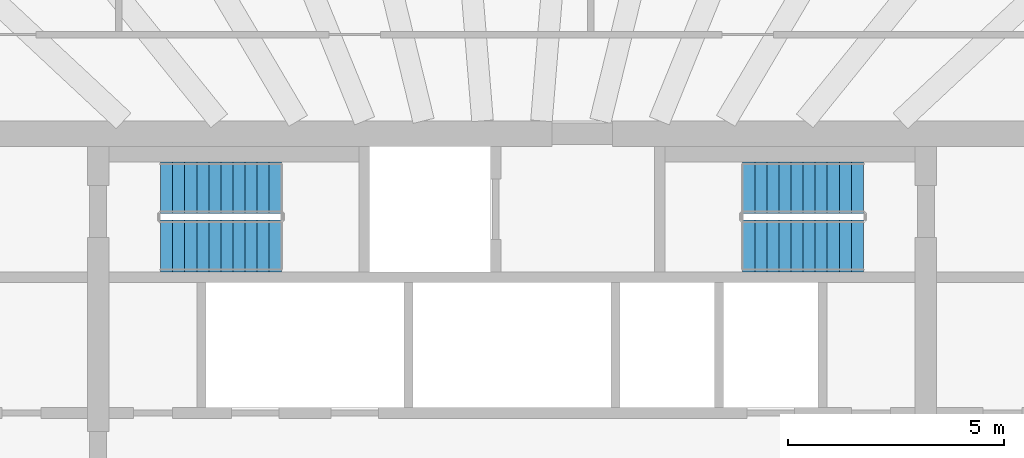
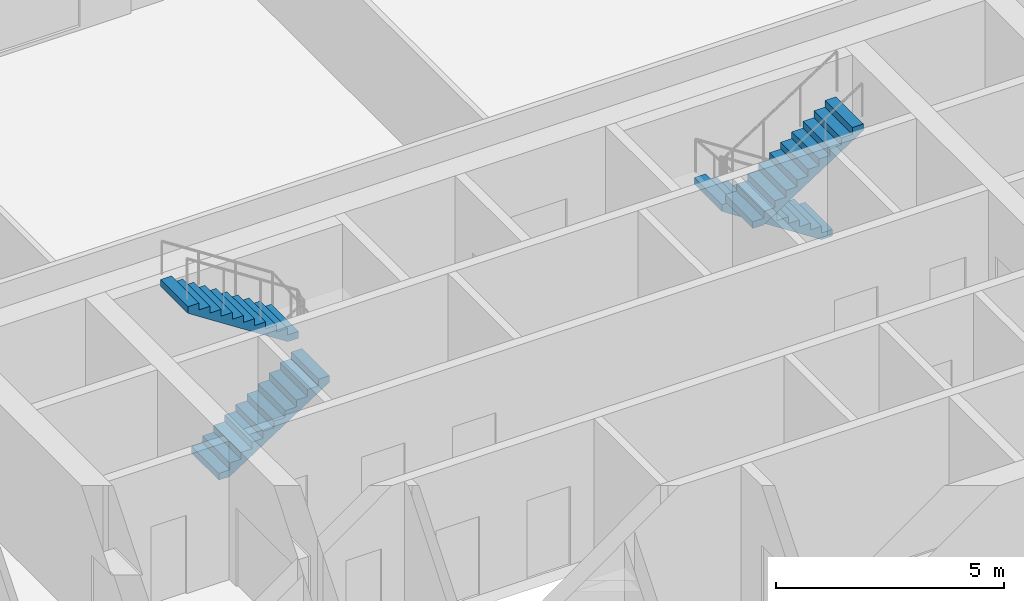
# One storey, part 8 of 12: 4 stair flights, 2 elements without a shape of their own.
"""IFC4 building model written with IfcOpenShell, lengths in metres."""

from ifc_helpers import new_model, si_unit, direction, frame, origin, place, context, subcontext, project, spatial, polyline, outline, extrude, material, layer, layer_set, type_object, element, aggregate, save


model = new_model("IFC4")

# Units and contexts
model_context = context("Model", 3, precision=1e-05, world=origin(), true_north=direction((0.0, 1.0)))
body_context = subcontext(model_context, "Body", "Model", "MODEL_VIEW")
ifc_project = project(units=[si_unit("LENGTHUNIT", "METRE"), si_unit("AREAUNIT", "SQUARE_METRE"), si_unit("VOLUMEUNIT", "CUBIC_METRE"), si_unit("PLANEANGLEUNIT", "RADIAN"), si_unit("MASSUNIT", "GRAM", prefix="KILO")], contexts=[model_context])

# Site, building, storey
site_placement = place(None, origin())
site = spatial("IfcSite", under=ifc_project, at=site_placement, CompositionType="ELEMENT")
building_placement = place(site_placement, origin())
building = spatial("IfcBuilding", under=site, at=building_placement, Name="Frailejon Research Tower", CompositionType="ELEMENT")
storey_placement = place(building_placement, frame((0.0, 0.0, 219.39990234375)))
storey = spatial("IfcBuildingStorey", under=building, at=storey_placement, Name="L47", CompositionType="ELEMENT", Elevation=219.39990234375)

# Stair, stair flights
ifc_material_1 = material(Name="Concrete C50/60", Category="concrete")
stair_type = type_object("IfcStairType", Name="Exit stair 22 risers", PredefinedType="HALF_TURN_STAIR", material=ifc_material_1)
stair_1_placement = place(storey_placement, origin())
stair_1 = element("IfcStair", 1, at=stair_1_placement, inside=storey, type_object=stair_type, Name="L47 Exit stair ST1", PredefinedType="HALF_TURN_STAIR")
ifc_material_2 = material(Name="Concrete C50/60", Category="concrete")
ifc_layer = layer(ifc_material_2, 0.14990234375)
ifc_layer_set = layer_set([ifc_layer], Name="Stair flight 11 risers")
stair_flight_type = type_object("IfcStairFlightType", Name="Stair flight 11 risers", PredefinedType="STRAIGHT", material=ifc_layer_set)
stair_flight_1_placement = place(storey_placement, frame((-8.14990234375, 5.5, 0.0), z_axis=(0.0, 0.0, 1.0), x_axis=(1.0, 0.0, 0.0)))
stair_flight_1 = element("IfcStairFlight", 2, at=stair_flight_1_placement, type_object=stair_flight_type, Name="ST1 flight 1", NumberOfRisers=11, NumberOfTreads=10, PredefinedType="STRAIGHT", RiserHeight=0.181818182, TreadLength=0.28, context=body_context, shape_type="SweptSolid", body=[
    extrude(outline(polyline([(0.0, 0.0), (0.0, 0.181884765625), (0.280029296875, 0.181884765625), (0.280029296875, 0.363525390625), (0.56005859375, 0.363525390625), (0.56005859375, 0.54541015625), (0.840087890625, 0.54541015625), (0.840087890625, 0.727294921875), (1.1201171875, 0.727294921875), (1.1201171875, 0.9091796875), (1.39990234375, 0.9091796875), (1.39990234375, 1.0908203125), (1.679931640625, 1.0908203125), (1.679931640625, 1.272705078125), (1.9599609375, 1.272705078125), (1.9599609375, 1.45458984375), (2.239990234375, 1.45458984375), (2.239990234375, 1.636474609375), (2.52001953125, 1.636474609375), (2.52001953125, 1.818115234375), (2.800048828125, 1.818115234375), (2.800048828125, 2.0), (2.800048828125, 1.639404296875), (0.275146484375, 0.0), (0.0, 0.0)])), frame((0.0, 0.60009765625, 0.0), z_axis=(0.0, -1.0, 0.0), x_axis=(1.0, 0.0, 0.0)), (0.0, 0.0, 1.0), 1.199951171875),
])
stair_flight_2_placement = place(storey_placement, frame((-5.35009765625, 6.85009765625, 2.0), z_axis=(0.0, 0.0, 1.0), x_axis=(-1.0, 0.0, 0.0)))
stair_flight_2 = element("IfcStairFlight", 3, at=stair_flight_2_placement, type_object=stair_flight_type, Name="ST1 flight 2", NumberOfRisers=11, NumberOfTreads=10, PredefinedType="STRAIGHT", RiserHeight=0.181818182, TreadLength=0.28, context=body_context, shape_type="SweptSolid", body=[
    extrude(outline(polyline([(0.0, 0.0), (0.0, 0.181884765625), (0.280029296875, 0.181884765625), (0.280029296875, 0.363525390625), (0.56005859375, 0.363525390625), (0.56005859375, 0.54541015625), (0.840087890625, 0.54541015625), (0.840087890625, 0.727294921875), (1.1201171875, 0.727294921875), (1.1201171875, 0.9091796875), (1.39990234375, 0.9091796875), (1.39990234375, 1.0908203125), (1.679931640625, 1.0908203125), (1.679931640625, 1.272705078125), (1.9599609375, 1.272705078125), (1.9599609375, 1.45458984375), (2.239990234375, 1.45458984375), (2.239990234375, 1.636474609375), (2.52001953125, 1.636474609375), (2.52001953125, 1.818115234375), (2.800048828125, 1.818115234375), (2.800048828125, 2.0), (2.800048828125, 1.639404296875), (0.275146484375, 0.0), (0.0, 0.0)])), frame((0.0, 0.60009765625, 0.0), z_axis=(0.0, -1.0, 0.0), x_axis=(1.0, 0.0, 0.0)), (0.0, 0.0, 1.0), 1.199951171875),
])
aggregate(stair_1, [stair_flight_1, stair_flight_2])

stair_2_placement = place(storey_placement, origin())
stair_2 = element("IfcStair", 4, at=stair_2_placement, inside=storey, type_object=stair_type, Name="L47 Exit stair ST3", PredefinedType="HALF_TURN_STAIR")
stair_flight_3_placement = place(storey_placement, frame((8.14990234375, 6.85009765625, 0.0), z_axis=(0.0, 0.0, 1.0), x_axis=(-1.0, 0.0, 0.0)))
stair_flight_3 = element("IfcStairFlight", 5, at=stair_flight_3_placement, type_object=stair_flight_type, Name="ST3 flight 1", NumberOfRisers=11, NumberOfTreads=10, PredefinedType="STRAIGHT", RiserHeight=0.181818182, TreadLength=0.28, context=body_context, shape_type="SweptSolid", body=[
    extrude(outline(polyline([(0.0, 0.0), (0.0, 0.181884765625), (0.280029296875, 0.181884765625), (0.280029296875, 0.363525390625), (0.56005859375, 0.363525390625), (0.56005859375, 0.54541015625), (0.840087890625, 0.54541015625), (0.840087890625, 0.727294921875), (1.1201171875, 0.727294921875), (1.1201171875, 0.9091796875), (1.39990234375, 0.9091796875), (1.39990234375, 1.0908203125), (1.679931640625, 1.0908203125), (1.679931640625, 1.272705078125), (1.9599609375, 1.272705078125), (1.9599609375, 1.45458984375), (2.239990234375, 1.45458984375), (2.239990234375, 1.636474609375), (2.52001953125, 1.636474609375), (2.52001953125, 1.818115234375), (2.800048828125, 1.818115234375), (2.800048828125, 2.0), (2.800048828125, 1.639404296875), (0.275146484375, 0.0), (0.0, 0.0)])), frame((0.0, 0.60009765625, 0.0), z_axis=(0.0, -1.0, 0.0), x_axis=(1.0, 0.0, 0.0)), (0.0, 0.0, 1.0), 1.199951171875),
])
stair_flight_4_placement = place(storey_placement, frame((5.35009765625, 5.5, 2.0), z_axis=(0.0, 0.0, 1.0), x_axis=(1.0, 0.0, 0.0)))
stair_flight_4 = element("IfcStairFlight", 6, at=stair_flight_4_placement, type_object=stair_flight_type, Name="ST3 flight 2", NumberOfRisers=11, NumberOfTreads=10, PredefinedType="STRAIGHT", RiserHeight=0.181818182, TreadLength=0.28, context=body_context, shape_type="SweptSolid", body=[
    extrude(outline(polyline([(0.0, 0.0), (0.0, 0.181884765625), (0.280029296875, 0.181884765625), (0.280029296875, 0.363525390625), (0.56005859375, 0.363525390625), (0.56005859375, 0.54541015625), (0.840087890625, 0.54541015625), (0.840087890625, 0.727294921875), (1.1201171875, 0.727294921875), (1.1201171875, 0.9091796875), (1.39990234375, 0.9091796875), (1.39990234375, 1.0908203125), (1.679931640625, 1.0908203125), (1.679931640625, 1.272705078125), (1.9599609375, 1.272705078125), (1.9599609375, 1.45458984375), (2.239990234375, 1.45458984375), (2.239990234375, 1.636474609375), (2.52001953125, 1.636474609375), (2.52001953125, 1.818115234375), (2.800048828125, 1.818115234375), (2.800048828125, 2.0), (2.800048828125, 1.639404296875), (0.275146484375, 0.0), (0.0, 0.0)])), frame((0.0, 0.60009765625, 0.0), z_axis=(0.0, -1.0, 0.0), x_axis=(1.0, 0.0, 0.0)), (0.0, 0.0, 1.0), 1.199951171875),
])
aggregate(stair_2, [stair_flight_3, stair_flight_4])

save(model, "model.ifc")
